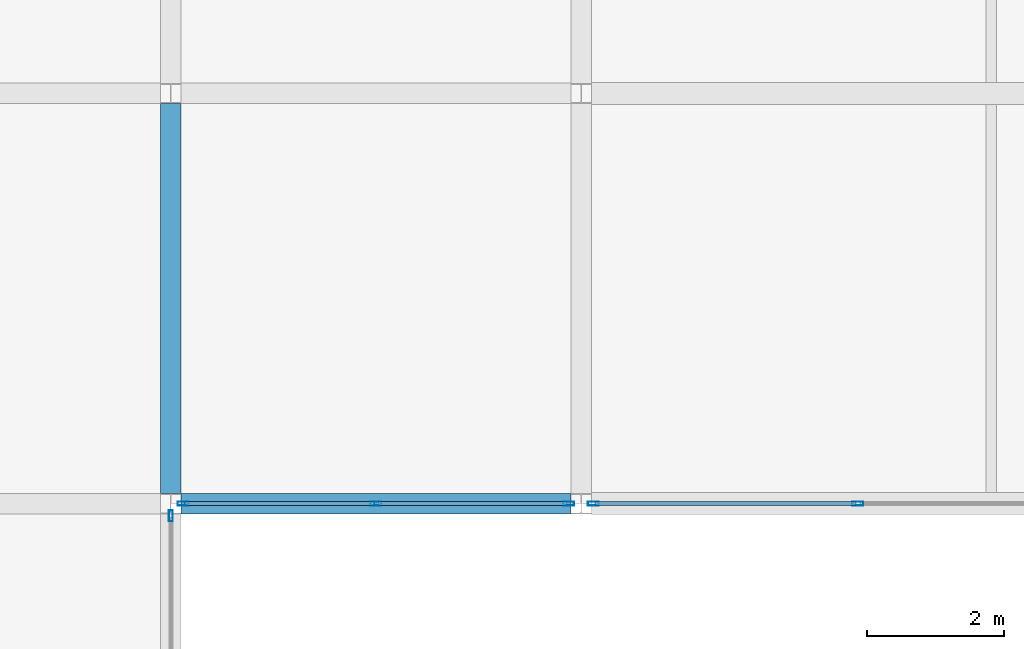
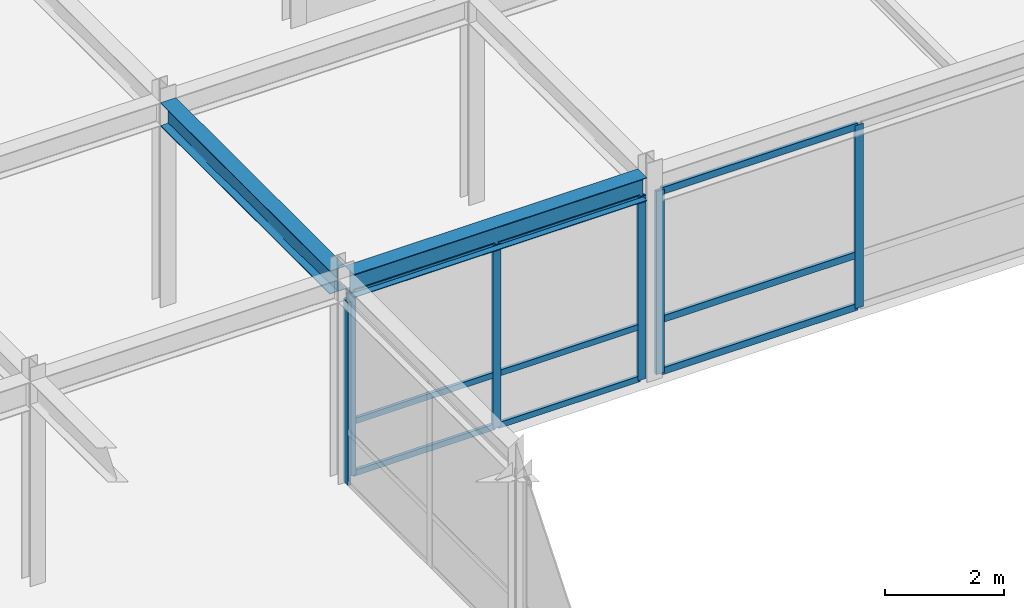
# One storey, part 68 of 108: 15 members, 2 beams, 3 elements without a shape of their own.
"""IFC4 building model written with IfcOpenShell, lengths in metres."""

import ifcopenshell
import ifcopenshell.guid

model = None  # the IFC model being written
_history = None  # IfcOwnerHistory: only IFC2X3 demands one
_inside = {}  # id of a spatial element -> (the spatial element, [elements in it])
_under = {}  # id of a project, library or spatial element -> (it, [spatial elements below it])
_declared = {}  # id of a project -> (the project, [libraries it declares])
_typed = {}  # id of a type object -> (the type object, [elements of that type])
_made_of = {}  # id of a material, layer set ... -> (it, [elements and type objects made of it])


def new_model(schema):
    """Start an empty IFC model of exactly this schema.

    Asked for "IFC4X3", IfcOpenShell would pick the latest addendum, in which some entities
    have other attributes; the version numbers below select the first issue.
    IFC2X3 requires an IfcOwnerHistory on every rooted entity: one is made here for all.
    """
    global model, _history
    if schema == "IFC4X3":
        model = ifcopenshell.file(schema_version=(4, 3, 0, 0))
    else:
        model = ifcopenshell.file(schema=schema)
    _inside.clear()
    _under.clear()
    _declared.clear()
    _typed.clear()
    _made_of.clear()
    _history = None
    if model.schema == "IFC2X3":
        org = make("IfcOrganization", Name="unknown")
        user = make(
            "IfcPersonAndOrganization",
            ThePerson=make("IfcPerson", FamilyName="unknown"),
            TheOrganization=org,
        )
        app = make(
            "IfcApplication",
            ApplicationDeveloper=org,
            Version="unknown",
            ApplicationFullName="unknown",
            ApplicationIdentifier="unknown",
        )
        _history = make(
            "IfcOwnerHistory",
            OwningUser=user,
            OwningApplication=app,
            ChangeAction="ADDED",
            CreationDate=0,
        )
    return model


def make(cls, **values):
    """One entity of the class cls with the attributes given. An attribute that is None is left unset."""
    return model.create_entity(
        cls, **{name: value for name, value in values.items() if value is not None}
    )


def rooted(cls, **values):
    """An entity with a GlobalId (a new one), such as an element, a storey or a relation."""
    return make(cls, GlobalId=ifcopenshell.guid.new(), OwnerHistory=_history, **values)


def si_unit(unit_type, name, prefix=None):
    """IfcSIUnit, for example si_unit("LENGTHUNIT", "METRE", prefix="MILLI")."""
    return make("IfcSIUnit", UnitType=unit_type, Prefix=prefix, Name=name)


def assignment(units):
    """IfcUnitAssignment: the units of a project."""
    return None if units is None else make("IfcUnitAssignment", Units=units)


def point(xyz):
    """IfcCartesianPoint."""
    return None if xyz is None else make("IfcCartesianPoint", Coordinates=xyz)


def direction(xyz):
    """IfcDirection."""
    return None if xyz is None else make("IfcDirection", DirectionRatios=xyz)


def frame(location, z_axis=None, x_axis=None):
    """IfcAxis2Placement3D, a coordinate frame: its origin and axes. An axis left out is left unset."""
    return make(
        "IfcAxis2Placement3D",
        Location=point(location),
        Axis=direction(z_axis),
        RefDirection=direction(x_axis),
    )


def frame_2d(location, x_axis=None):
    """IfcAxis2Placement2D, a coordinate frame in the plane: its origin and x axis."""
    return make(
        "IfcAxis2Placement2D", Location=point(location), RefDirection=direction(x_axis)
    )


def origin():
    """The frame at (0, 0, 0) with its axes left unset."""
    return frame((0.0, 0.0, 0.0))


def origin_2d():
    """The frame at (0, 0) in the plane with its x axis left unset."""
    return frame_2d((0.0, 0.0))


def place(relative_to, where):
    """IfcLocalPlacement: puts the frame where relative to a parent placement (None: the world)."""
    return make(
        "IfcLocalPlacement", PlacementRelTo=relative_to, RelativePlacement=where
    )


def context(
    kind, dimensions, precision=None, world=None, true_north=None, identifier=None
):
    """IfcGeometricRepresentationContext, for example the 3D "Model" context."""
    return make(
        "IfcGeometricRepresentationContext",
        ContextIdentifier=identifier,
        ContextType=kind,
        CoordinateSpaceDimension=dimensions,
        Precision=precision,
        WorldCoordinateSystem=world,
        TrueNorth=true_north,
    )


def subcontext(parent, identifier, kind, view, scale=None):
    """IfcGeometricRepresentationSubContext, for example "Body" below "Model"."""
    return make(
        "IfcGeometricRepresentationSubContext",
        ContextIdentifier=identifier,
        ContextType=kind,
        ParentContext=parent,
        TargetScale=scale,
        TargetView=view,
    )


def project(units=None, contexts=None):
    """IfcProject with its units and contexts."""
    return rooted(
        "IfcProject",
        Name="project",
        RepresentationContexts=contexts,
        UnitsInContext=assignment(units),
    )


def spatial(cls, under=None, at=None, **own):
    """A site, building, storey or space (cls), placed at a placement, below another one or the project."""
    s = rooted(cls, ObjectPlacement=at, **own)
    if under is not None:
        _under.setdefault(under.id(), (under, []))[1].append(s)
    return s


def profile(cls, at=None, kind="AREA", **sizes):
    """A parametric profile (cls). Its sizes go by their IFC names, for example OverallWidth=200.0."""
    return make(cls, ProfileType=kind, Position=at, **sizes)


def hollow_rectangle(**sizes):
    """IfcRectangleHollowProfileDef."""
    return profile("IfcRectangleHollowProfileDef", **sizes)


def i_section(**sizes):
    """IfcIShapeProfileDef."""
    return profile("IfcIShapeProfileDef", **sizes)


def extrude(swept, where, along, depth):
    """IfcExtrudedAreaSolid: the profile swept, set in the frame where, extruded along a direction by depth."""
    return make(
        "IfcExtrudedAreaSolid",
        SweptArea=swept,
        Position=where,
        ExtrudedDirection=direction(along),
        Depth=depth,
    )


def shape(context_of_items, identifier, shape_type, items):
    """IfcShapeRepresentation: the items that make up one representation, for example the "Body"."""
    return make(
        "IfcShapeRepresentation",
        ContextOfItems=context_of_items,
        RepresentationIdentifier=identifier,
        RepresentationType=shape_type,
        Items=items,
    )


def material(Name=None, Category=None):
    """IfcMaterial."""
    return make("IfcMaterial", Name=Name, Category=Category)


def layer(
    of_material, thickness, ventilated=None, Name=None, Category=None, Priority=None
):
    """IfcMaterialLayer: one layer of a wall or slab, of a material (None: an air gap)."""
    return make(
        "IfcMaterialLayer",
        Material=of_material,
        LayerThickness=thickness,
        IsVentilated=ventilated,
        Name=Name,
        Category=Category,
        Priority=Priority,
    )


def layer_set(layers, Name=None):
    """IfcMaterialLayerSet."""
    return make("IfcMaterialLayerSet", MaterialLayers=layers, LayerSetName=Name)


def material_profile(
    of_material, cross_section, Name=None, Category=None, Priority=None
):
    """IfcMaterialProfile: a cross section and its material."""
    return make(
        "IfcMaterialProfile",
        Name=Name,
        Material=of_material,
        Profile=cross_section,
        Priority=Priority,
        Category=Category,
    )


def profile_set(profiles, Name=None, composite=None):
    """IfcMaterialProfileSet."""
    return make(
        "IfcMaterialProfileSet",
        Name=Name,
        MaterialProfiles=profiles,
        CompositeProfile=composite,
    )


def made_of(thing, what):
    """Note that an element or type object is made of a material, layer set ...; save() writes the relation."""
    if what is not None:
        _made_of.setdefault(what.id(), (what, []))[1].append(thing)
    return thing


def type_object(cls, material=None, **own):
    """A type object (cls), such as IfcWallType, which elements share."""
    return made_of(rooted(cls, **own), material)


def element(
    cls,
    number,
    at=None,
    inside=None,
    cuts=None,
    type_object=None,
    material=None,
    context=None,
    identifier="Body",
    shape_type=None,
    held_by="IfcProductDefinitionShape",
    body=None,
    shapes=None,
    **own,
):
    """One element of the class cls, such as IfcWall. Its Tag is "e" and its number.

    at: its placement. inside: the storey or other place that contains it. cuts: it is an
    opening in that element (IfcRelVoidsElement). A single representation is given by context,
    identifier, shape_type and body (its items); several are given by shapes. held_by: the class
    of the entity that holds the representations. save() writes the other relations.
    """
    e = rooted(cls, Tag="e%d" % number, ObjectPlacement=at, **own)
    if body is not None:
        shapes = [shape(context, identifier, shape_type, body)]
    if shapes is not None:
        e.Representation = make(held_by, Representations=shapes)
    if inside is not None:
        _inside.setdefault(inside.id(), (inside, []))[1].append(e)
    if cuts is not None:
        rooted(
            "IfcRelVoidsElement", RelatingBuildingElement=cuts, RelatedOpeningElement=e
        )
    if type_object is not None:
        _typed.setdefault(type_object.id(), (type_object, []))[1].append(e)
    return made_of(e, material)


def aggregate(whole, parts):
    """IfcRelAggregates: a whole, such as a stair, and the parts it consists of."""
    return rooted("IfcRelAggregates", RelatingObject=whole, RelatedObjects=parts)


def save(model, path):
    """Write the relations noted so far, then the file.

    IfcRelAggregates (storeys below a building ...), IfcRelContainedInSpatialStructure (elements
    in a storey), IfcRelDefinesByType, IfcRelAssociatesMaterial and IfcRelDeclares: one each for
    every whole, place, type object, material and project.
    """
    for whole, parts in _under.values():
        aggregate(whole, parts)
    for where, things in _inside.values():
        rooted(
            "IfcRelContainedInSpatialStructure",
            RelatedElements=things,
            RelatingStructure=where,
        )
    for kind, things in _typed.values():
        rooted("IfcRelDefinesByType", RelatedObjects=things, RelatingType=kind)
    for what, things in _made_of.values():
        rooted("IfcRelAssociatesMaterial", RelatedObjects=things, RelatingMaterial=what)
    for by, libraries in _declared.values():
        rooted("IfcRelDeclares", RelatingContext=by, RelatedDefinitions=libraries)
    model.write(path)


model = new_model("IFC4")

# Units and contexts
model_context = context("Model", 3, precision=1e-05, world=origin(), true_north=direction((0.0, 1.0)))
body_context = subcontext(model_context, "Body", "Model", "MODEL_VIEW")
ifc_project = project(units=[si_unit("LENGTHUNIT", "METRE"), si_unit("AREAUNIT", "SQUARE_METRE"), si_unit("VOLUMEUNIT", "CUBIC_METRE"), si_unit("PLANEANGLEUNIT", "RADIAN"), si_unit("MASSUNIT", "GRAM", prefix="KILO")], contexts=[model_context])

# Site, building, storey
site_placement = place(None, origin())
site = spatial("IfcSite", under=ifc_project, at=site_placement, CompositionType="ELEMENT")
building_placement = place(site_placement, origin())
building = spatial("IfcBuilding", under=site, at=building_placement, Name="Zlatovratsky Civic Hall", CompositionType="ELEMENT")
storey_placement = place(building_placement, frame((0.0, 0.0, 12.0)))
storey = spatial("IfcBuildingStorey", under=building, at=storey_placement, Name="L03", CompositionType="ELEMENT", Elevation=12.0)

# Beams
ifc_material_1 = material(Name="Steel S355", Category="steel")
ifc_material_profile_1 = material_profile(ifc_material_1, i_section(OverallWidth=0.300048828125, OverallDepth=0.48193359375, WebThickness=0.010986328125, FlangeThickness=0.014892578125, FilletRadius=0.02392578125, at=origin_2d()), Name="50Sh1")
ifc_profile_set_1 = profile_set([ifc_material_profile_1], Name="Steel S355")
beam_type = type_object("IfcBeamType", Name="Beam_LibraryGirder_50Sh1", PredefinedType="BEAM", material=ifc_profile_set_1)
beam_1_placement = place(storey_placement, frame((18.1494140625, 66.0, 3.97900390625), z_axis=(1.0, 0.0, 0.0), x_axis=(0.0, 1.0, 0.0)))
element("IfcBeam", 1, at=beam_1_placement, inside=storey, type_object=beam_type, Name="BM-2607", PredefinedType="BEAM", context=body_context, shape_type="SweptSolid", body=[
    extrude(i_section(OverallWidth=0.300048828125, OverallDepth=0.48193359375, WebThickness=0.010986328125, FlangeThickness=0.014892578125, FilletRadius=0.02392578125, at=origin_2d()), origin(), (0.0, 0.0, 1.0), 5.701171875),
])
beam_2_placement = place(storey_placement, frame((18.0, 66.14794921875, 3.97900390625), z_axis=(0.0, 1.0, 0.0), x_axis=(-1.0, 0.0, 0.0)))
element("IfcBeam", 2, at=beam_2_placement, inside=storey, type_object=beam_type, Name="BM-2836", PredefinedType="BEAM", context=body_context, shape_type="SweptSolid", body=[
    extrude(i_section(OverallWidth=0.300048828125, OverallDepth=0.48193359375, WebThickness=0.010986328125, FlangeThickness=0.014892578125, FilletRadius=0.02392578125, at=origin_2d()), origin(), (0.0, 0.0, 1.0), 5.7041015625),
])

# Curtain wall, members
ifc_material_2 = material(Name="Anodised bronze aluminium", Category="aluminium")
ifc_layer_1 = layer(ifc_material_2, 0.159912109375)
ifc_layer_set_1 = layer_set([ifc_layer_1], Name="Anodised bronze aluminium")
curtain_wall_type_1 = type_object("IfcCurtainWallType", Name="CurtainWall_Bronze_5700x3770_12", PredefinedType="NOTDEFINED", material=ifc_layer_set_1)
curtain_wall_1_placement = place(storey_placement, origin())
curtain_wall_1 = element("IfcCurtainWall", 3, at=curtain_wall_1_placement, inside=storey, type_object=curtain_wall_type_1, Name="CW-054", PredefinedType="NOTDEFINED")
ifc_material_profile_2 = material_profile(ifc_material_2, hollow_rectangle(XDim=0.06005859375, YDim=0.159912109375, WallThickness=0.00390625, at=origin_2d()), Name="ALU 60x160x4")
ifc_profile_set_2 = profile_set([ifc_material_profile_2], Name="Anodised bronze aluminium")
member_type_1 = type_object("IfcMemberType", Name="CW_Mullion_60x160", PredefinedType="MULLION", material=ifc_profile_set_2)
member_1_placement = place(storey_placement, frame((18.179443359375, 66.0, 0.0), z_axis=(0.0, 0.0, 1.0), x_axis=(0.0, 1.0, 0.0)))
member_1 = element("IfcMember", 4, at=member_1_placement, type_object=member_type_1, Name="CW-12 mullion 1", PredefinedType="MULLION", context=body_context, shape_type="SweptSolid", body=[
    extrude(hollow_rectangle(XDim=0.06005859375, YDim=0.159912109375, WallThickness=0.00390625, at=origin_2d()), origin(), (0.0, 0.0, 1.0), 3.77001953125),
])
member_2_placement = place(storey_placement, frame((21.0, 66.0, 0.0), z_axis=(0.0, 0.0, 1.0), x_axis=(0.0, 1.0, 0.0)))
member_2 = element("IfcMember", 5, at=member_2_placement, type_object=member_type_1, Name="CW-12 mullion 2", PredefinedType="MULLION", context=body_context, shape_type="SweptSolid", body=[
    extrude(hollow_rectangle(XDim=0.06005859375, YDim=0.159912109375, WallThickness=0.00390625, at=origin_2d()), origin(), (0.0, 0.0, 1.0), 3.77001953125),
])
member_3_placement = place(storey_placement, frame((23.820556640625, 66.0, 0.0), z_axis=(0.0, 0.0, 1.0), x_axis=(0.0, 1.0, 0.0)))
member_3 = element("IfcMember", 6, at=member_3_placement, type_object=member_type_1, Name="CW-12 mullion 3", PredefinedType="MULLION", context=body_context, shape_type="SweptSolid", body=[
    extrude(hollow_rectangle(XDim=0.06005859375, YDim=0.159912109375, WallThickness=0.00390625, at=origin_2d()), origin(), (0.0, 0.0, 1.0), 3.77001953125),
])

ifc_layer_2 = layer(ifc_material_2, 0.159912109375)
ifc_layer_set_2 = layer_set([ifc_layer_2], Name="Anodised bronze aluminium")
curtain_wall_type_2 = type_object("IfcCurtainWallType", Name="CurtainWall_Bronze_11700x3770_11", PredefinedType="NOTDEFINED", material=ifc_layer_set_2)
curtain_wall_2_placement = place(storey_placement, origin())
curtain_wall_2 = element("IfcCurtainWall", 7, at=curtain_wall_2_placement, inside=storey, type_object=curtain_wall_type_2, Name="CW-055", PredefinedType="NOTDEFINED")
member_4_placement = place(storey_placement, frame((24.179443359375, 66.0, 0.0), z_axis=(0.0, 0.0, 1.0), x_axis=(0.0, 1.0, 0.0)))
member_4 = element("IfcMember", 8, at=member_4_placement, type_object=member_type_1, Name="CW-11 mullion 1", PredefinedType="MULLION", context=body_context, shape_type="SweptSolid", body=[
    extrude(hollow_rectangle(XDim=0.06005859375, YDim=0.159912109375, WallThickness=0.00390625, at=origin_2d()), origin(), (0.0, 0.0, 1.0), 3.77001953125),
])
member_5_placement = place(storey_placement, frame((28.0498046875, 66.0, 0.0), z_axis=(0.0, 0.0, 1.0), x_axis=(0.0, 1.0, 0.0)))
member_5 = element("IfcMember", 9, at=member_5_placement, type_object=member_type_1, Name="CW-11 mullion 2", PredefinedType="MULLION", context=body_context, shape_type="SweptSolid", body=[
    extrude(hollow_rectangle(XDim=0.06005859375, YDim=0.159912109375, WallThickness=0.00390625, at=origin_2d()), origin(), (0.0, 0.0, 1.0), 3.77001953125),
])

# Curtain wall, member
curtain_wall_3_placement = place(storey_placement, origin())
curtain_wall_3 = element("IfcCurtainWall", 10, at=curtain_wall_3_placement, inside=storey, type_object=curtain_wall_type_1, Name="CW-062", PredefinedType="NOTDEFINED")
member_6_placement = place(storey_placement, frame((18.0, 65.822021484375, 0.0), z_axis=(0.0, 0.0, 1.0), x_axis=(-1.0, 0.0, 0.0)))
member_6 = element("IfcMember", 11, at=member_6_placement, type_object=member_type_1, Name="CW-12 mullion 3", PredefinedType="MULLION", context=body_context, shape_type="SweptSolid", body=[
    extrude(hollow_rectangle(XDim=0.06005859375, YDim=0.159912109375, WallThickness=0.00390625, at=origin_2d()), origin(), (0.0, 0.0, 1.0), 3.77001953125),
])
aggregate(curtain_wall_3, [member_6])

# Member
ifc_material_profile_3 = material_profile(ifc_material_2, hollow_rectangle(XDim=0.06005859375, YDim=0.1201171875, WallThickness=0.00390625, at=origin_2d()), Name="ALU 60x120x4")
ifc_profile_set_3 = profile_set([ifc_material_profile_3], Name="Anodised bronze aluminium")
member_type_2 = type_object("IfcMemberType", Name="CW_Transom_60x120", PredefinedType="USERDEFINED", material=ifc_profile_set_3)
member_7_placement = place(storey_placement, frame((18.20947265625, 66.0, 0.030029296875), z_axis=(1.0, 0.0, 0.0), x_axis=(0.0, 1.0, 0.0)))
member_7 = element("IfcMember", 12, at=member_7_placement, type_object=member_type_2, Name="CW-12 transom 1.1", ObjectType="TRANSOM", PredefinedType="USERDEFINED", context=body_context, shape_type="SweptSolid", body=[
    extrude(hollow_rectangle(XDim=0.06005859375, YDim=0.1201171875, WallThickness=0.00390625, at=origin_2d()), origin(), (0.0, 0.0, 1.0), 2.760498046875),
])

member_8_placement = place(storey_placement, frame((18.20947265625, 66.0, 1.10009765625), z_axis=(1.0, 0.0, 0.0), x_axis=(0.0, 1.0, 0.0)))
member_8 = element("IfcMember", 13, at=member_8_placement, type_object=member_type_2, Name="CW-12 transom 1.2", ObjectType="TRANSOM", PredefinedType="USERDEFINED", context=body_context, shape_type="SweptSolid", body=[
    extrude(hollow_rectangle(XDim=0.06005859375, YDim=0.1201171875, WallThickness=0.00390625, at=origin_2d()), origin(), (0.0, 0.0, 1.0), 2.760498046875),
])

member_9_placement = place(storey_placement, frame((18.20947265625, 66.0, 3.739990234375), z_axis=(1.0, 0.0, 0.0), x_axis=(0.0, 1.0, 0.0)))
member_9 = element("IfcMember", 14, at=member_9_placement, type_object=member_type_2, Name="CW-12 transom 1.3", ObjectType="TRANSOM", PredefinedType="USERDEFINED", context=body_context, shape_type="SweptSolid", body=[
    extrude(hollow_rectangle(XDim=0.06005859375, YDim=0.1201171875, WallThickness=0.00390625, at=origin_2d()), origin(), (0.0, 0.0, 1.0), 2.760498046875),
])

member_10_placement = place(storey_placement, frame((21.030029296875, 66.0, 0.030029296875), z_axis=(1.0, 0.0, 0.0), x_axis=(0.0, 1.0, 0.0)))
member_10 = element("IfcMember", 15, at=member_10_placement, type_object=member_type_2, Name="CW-12 transom 2.1", ObjectType="TRANSOM", PredefinedType="USERDEFINED", context=body_context, shape_type="SweptSolid", body=[
    extrude(hollow_rectangle(XDim=0.06005859375, YDim=0.1201171875, WallThickness=0.00390625, at=origin_2d()), origin(), (0.0, 0.0, 1.0), 2.760498046875),
])

member_11_placement = place(storey_placement, frame((21.030029296875, 66.0, 1.10009765625), z_axis=(1.0, 0.0, 0.0), x_axis=(0.0, 1.0, 0.0)))
member_11 = element("IfcMember", 16, at=member_11_placement, type_object=member_type_2, Name="CW-12 transom 2.2", ObjectType="TRANSOM", PredefinedType="USERDEFINED", context=body_context, shape_type="SweptSolid", body=[
    extrude(hollow_rectangle(XDim=0.06005859375, YDim=0.1201171875, WallThickness=0.00390625, at=origin_2d()), origin(), (0.0, 0.0, 1.0), 2.760498046875),
])

member_12_placement = place(storey_placement, frame((21.030029296875, 66.0, 3.739990234375), z_axis=(1.0, 0.0, 0.0), x_axis=(0.0, 1.0, 0.0)))
member_12 = element("IfcMember", 17, at=member_12_placement, type_object=member_type_2, Name="CW-12 transom 2.3", ObjectType="TRANSOM", PredefinedType="USERDEFINED", context=body_context, shape_type="SweptSolid", body=[
    extrude(hollow_rectangle(XDim=0.06005859375, YDim=0.1201171875, WallThickness=0.00390625, at=origin_2d()), origin(), (0.0, 0.0, 1.0), 2.760498046875),
])

aggregate(curtain_wall_1, [member_1, member_2, member_3, member_7, member_8, member_9, member_10, member_11, member_12])

ifc_material_profile_4 = material_profile(ifc_material_2, hollow_rectangle(XDim=0.06005859375, YDim=0.139892578125, WallThickness=0.00390625, at=origin_2d()), Name="ALU 60x140x4")
ifc_profile_set_4 = profile_set([ifc_material_profile_4], Name="Anodised bronze aluminium")
member_type_3 = type_object("IfcMemberType", Name="CW_Transom_60x140", PredefinedType="USERDEFINED", material=ifc_profile_set_4)
member_13_placement = place(storey_placement, frame((24.20947265625, 66.0, 0.030029296875), z_axis=(1.0, 0.0, 0.0), x_axis=(0.0, 1.0, 0.0)))
member_13 = element("IfcMember", 18, at=member_13_placement, type_object=member_type_3, Name="CW-11 transom 1.1", ObjectType="TRANSOM", PredefinedType="USERDEFINED", context=body_context, shape_type="SweptSolid", body=[
    extrude(hollow_rectangle(XDim=0.06005859375, YDim=0.139892578125, WallThickness=0.00390625, at=origin_2d()), origin(), (0.0, 0.0, 1.0), 3.810302734375),
])

member_14_placement = place(storey_placement, frame((24.20947265625, 66.0, 1.10009765625), z_axis=(1.0, 0.0, 0.0), x_axis=(0.0, 1.0, 0.0)))
member_14 = element("IfcMember", 19, at=member_14_placement, type_object=member_type_3, Name="CW-11 transom 1.2", ObjectType="TRANSOM", PredefinedType="USERDEFINED", context=body_context, shape_type="SweptSolid", body=[
    extrude(hollow_rectangle(XDim=0.06005859375, YDim=0.139892578125, WallThickness=0.00390625, at=origin_2d()), origin(), (0.0, 0.0, 1.0), 3.810302734375),
])

member_15_placement = place(storey_placement, frame((24.20947265625, 66.0, 3.739990234375), z_axis=(1.0, 0.0, 0.0), x_axis=(0.0, 1.0, 0.0)))
member_15 = element("IfcMember", 20, at=member_15_placement, type_object=member_type_3, Name="CW-11 transom 1.3", ObjectType="TRANSOM", PredefinedType="USERDEFINED", context=body_context, shape_type="SweptSolid", body=[
    extrude(hollow_rectangle(XDim=0.06005859375, YDim=0.139892578125, WallThickness=0.00390625, at=origin_2d()), origin(), (0.0, 0.0, 1.0), 3.810302734375),
])

aggregate(curtain_wall_2, [member_4, member_5, member_13, member_14, member_15])

save(model, "model.ifc")
